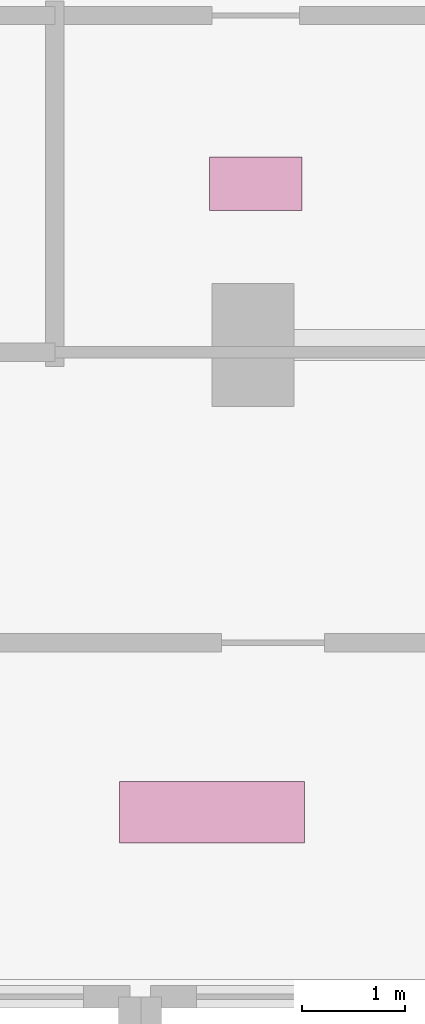
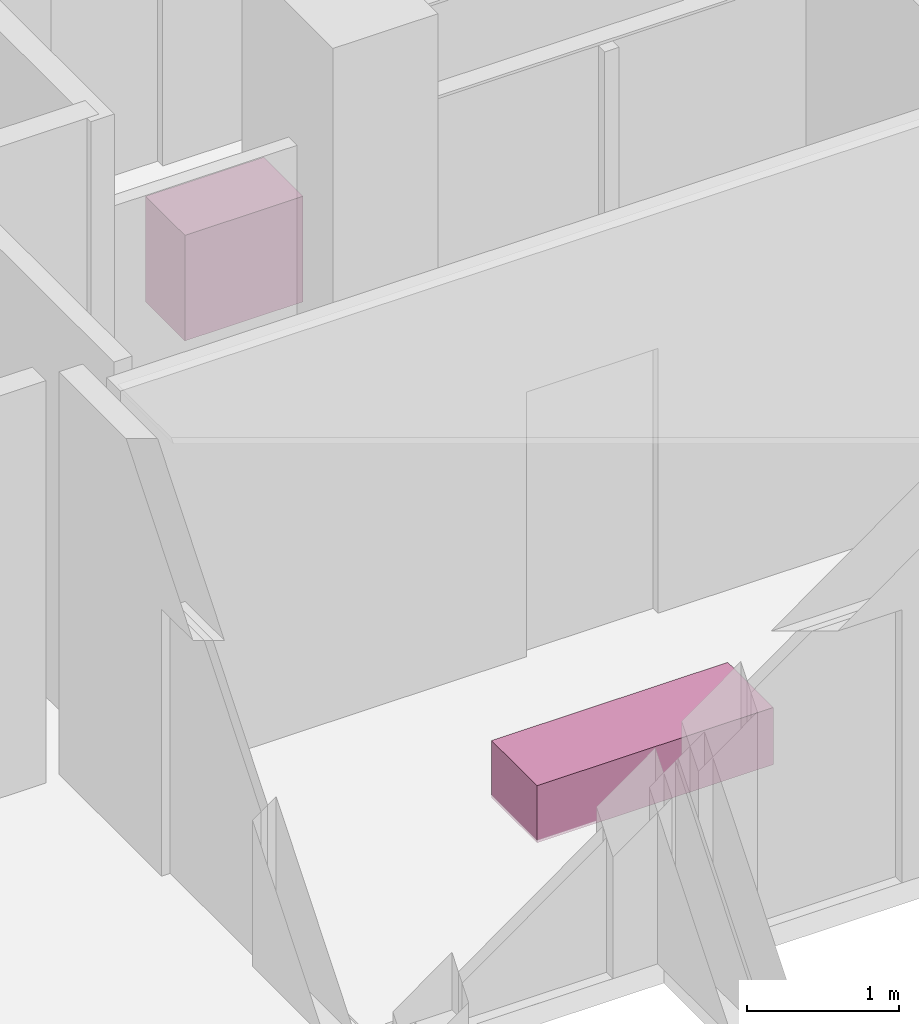
# One storey, part 29 of 29: 2 furnishings.
"""IFC4 building model written with IfcOpenShell, lengths in metres."""

from ifc_helpers import new_model, si_unit, direction, frame, origin, origin_2d, place, context, subcontext, project, spatial, rectangle, extrude, material, type_object, element, save


model = new_model("IFC4")

# Units and contexts
model_context = context("Model", 3, precision=1e-05, world=origin(), true_north=direction((0.0, 1.0)))
body_context = subcontext(model_context, "Body", "Model", "MODEL_VIEW")
ifc_project = project(units=[si_unit("LENGTHUNIT", "METRE"), si_unit("AREAUNIT", "SQUARE_METRE"), si_unit("VOLUMEUNIT", "CUBIC_METRE"), si_unit("PLANEANGLEUNIT", "RADIAN"), si_unit("MASSUNIT", "GRAM", prefix="KILO")], contexts=[model_context])

# Site, building, storey
site_placement = place(None, origin())
site = spatial("IfcSite", under=ifc_project, at=site_placement, CompositionType="ELEMENT")
building_placement = place(site_placement, origin())
building = spatial("IfcBuilding", under=site, at=building_placement, Name="Vorneva Point Tower", CompositionType="ELEMENT")
storey_placement = place(building_placement, frame((0.0, 0.0, 150.10009765625)))
storey = spatial("IfcBuildingStorey", under=building, at=storey_placement, Name="L40", CompositionType="ELEMENT", Elevation=150.10009765625)

# Furnishings
ifc_material_1 = material(Name="Engineered oak fire-rated door leaf", Category="wood")
furniture_type_1 = type_object("IfcFurnitureType", Name="FUR-BNC-1800", AssemblyPlace="NOTDEFINED", PredefinedType="NOTDEFINED", material=ifc_material_1)
furnishing_1_placement = place(storey_placement, frame((35.0, 26.0, -0.005126953125), z_axis=(0.0, 0.0, 1.0), x_axis=(1.0, 0.0, 0.0)))
element("IfcFurnishingElement", 1, at=furnishing_1_placement, inside=storey, type_object=furniture_type_1, Name="L40 Lift Lobby Seating Bench", ObjectType="L40 Lift Lobby Seating Bench", context=body_context, shape_type="SweptSolid", body=[
    extrude(rectangle(XDim=1.800048828125, YDim=0.60009765625, at=origin_2d()), origin(), (0.0, 0.0, 1.0), 0.4599609375),
])
ifc_material_2 = material(Name="Vitreous china and granite top", Category="masonry")
furniture_type_2 = type_object("IfcFurnitureType", Name="FUR-VAN-900", AssemblyPlace="NOTDEFINED", PredefinedType="NOTDEFINED", material=ifc_material_2)
furnishing_2_placement = place(storey_placement, frame((35.425048828125, 32.1201171875, -0.005126953125), z_axis=(0.0, 0.0, 1.0), x_axis=(1.0, 0.0, 0.0)))
element("IfcFurnishingElement", 2, at=furnishing_2_placement, inside=storey, type_object=furniture_type_2, Name="L40 Accessible WC Vanity Unit", ObjectType="L40 Accessible WC Vanity Unit", context=body_context, shape_type="SweptSolid", body=[
    extrude(rectangle(XDim=0.89990234375, YDim=0.52001953125, at=origin_2d()), origin(), (0.0, 0.0, 1.0), 0.85009765625),
])

save(model, "model.ifc")
